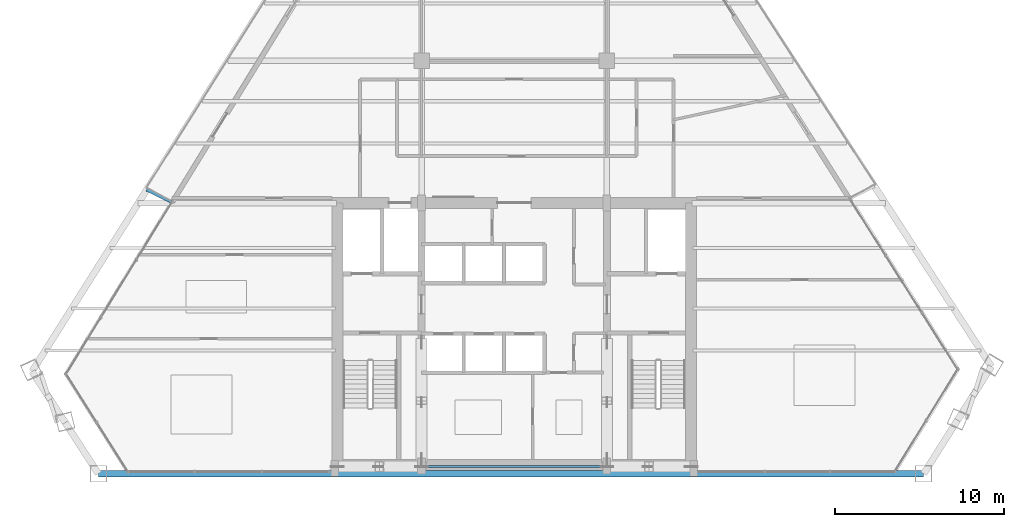
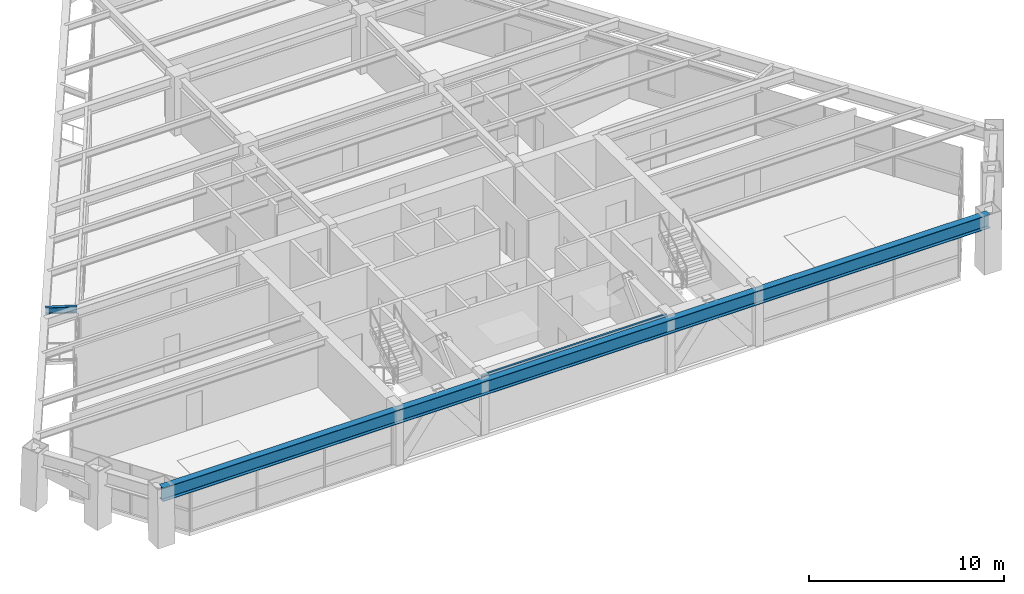
# One storey, part 3 of 15: 3 beams.
"""IFC4 building model written with IfcOpenShell, lengths in metres."""

from ifc_helpers import new_model, si_unit, direction, frame, origin, origin_2d, place, context, subcontext, project, spatial, i_section, extrude, source, transform, mapped, material, material_profile, profile_set, type_object, type_shapes, element, save


model = new_model("IFC4")

# Units and contexts
model_context = context("Model", 3, precision=1e-05, world=origin(), true_north=direction((0.0, 1.0)))
body_context = subcontext(model_context, "Body", "Model", "MODEL_VIEW")
ifc_project = project(units=[si_unit("LENGTHUNIT", "METRE"), si_unit("AREAUNIT", "SQUARE_METRE"), si_unit("VOLUMEUNIT", "CUBIC_METRE"), si_unit("PLANEANGLEUNIT", "RADIAN"), si_unit("MASSUNIT", "GRAM", prefix="KILO")], contexts=[model_context])

# Site, building, storey
site_placement = place(None, origin())
site = spatial("IfcSite", under=ifc_project, at=site_placement, CompositionType="ELEMENT")
building_placement = place(site_placement, origin())
building = spatial("IfcBuilding", under=site, at=building_placement, Name="Varnakhor Terracotta Tower", CompositionType="ELEMENT")
storey_placement = place(building_placement, frame((0.0, 0.0, 193.199951171875)))
storey = spatial("IfcBuildingStorey", under=building, at=storey_placement, Name="L49", CompositionType="ELEMENT", Elevation=193.199951171875)

# Beams
ifc_material = material(Name="Steel S355", Category="steel")
ifc_material_profile_1 = material_profile(ifc_material, i_section(OverallWidth=0.1201171875, OverallDepth=0.239990234375, WebThickness=0.006103515625, FlangeThickness=0.009765625, FilletRadius=0.01806640625, at=origin_2d()), Name="IPE240")
ifc_profile_set_1 = profile_set([ifc_material_profile_1], Name="Steel S355")
beam_type_1 = type_object("IfcBeamType", Name="LNT-IPE240", PredefinedType="LINTEL", material=ifc_profile_set_1)
shared_shape_1 = source(origin(), body_context, "Body", "SweptSolid", [
    extrude(i_section(OverallWidth=0.1201171875, OverallDepth=0.239990234375, WebThickness=0.006103515625, FlangeThickness=0.009765625, FilletRadius=0.01806640625, at=origin_2d()), origin(), (0.0, 0.0, 1.0), 11.0),
])
type_shapes(beam_type_1, [shared_shape_1])
beam_1_placement = place(storey_placement, frame((-5.5, 0.419921875, 3.35009765625), z_axis=(1.0, 0.0, 0.0), x_axis=(0.0, 1.0, 0.0)))
element("IfcBeam", 1, at=beam_1_placement, inside=storey, type_object=beam_type_1, Name="L49 Core South Coupling Lintel", PredefinedType="LINTEL", context=body_context, shape_type="MappedRepresentation", body=[
    mapped(shared_shape_1, transform((0.0, 0.0, 0.0), scale=1.0)),
])
ifc_material_profile_2 = material_profile(ifc_material, i_section(OverallWidth=0.39990234375, OverallDepth=0.85498046875, WebThickness=0.01806640625, FlangeThickness=0.029052734375, FilletRadius=0.01806640625, at=origin_2d()), Name="W33X201")
ifc_profile_set_2 = profile_set([ifc_material_profile_2], Name="Steel S355")
beam_type_2 = type_object("IfcBeamType", Name="BM-W33X201", PredefinedType="BEAM", material=ifc_profile_set_2)
shared_shape_2 = source(origin(), body_context, "Body", "SweptSolid", [
    extrude(i_section(OverallWidth=0.39990234375, OverallDepth=0.85498046875, WebThickness=0.01806640625, FlangeThickness=0.029052734375, FilletRadius=0.01806640625, at=origin_2d()), origin(), (0.0, 0.0, 1.0), 48.966064453125),
])
beam_2_placement = place(storey_placement, frame((-24.672119140625, 0.0, 3.04248046875), z_axis=(1.0, 0.0, 0.0), x_axis=(0.0, 1.0, 0.0)))
element("IfcBeam", 2, at=beam_2_placement, inside=storey, type_object=beam_type_2, Name="L49 Perimeter Spandrel 1", PredefinedType="BEAM", context=body_context, shape_type="MappedRepresentation", body=[
    mapped(shared_shape_2, transform((0.0, 0.0, 0.0), scale=1.0)),
])
ifc_material_profile_3 = material_profile(ifc_material, i_section(OverallWidth=0.179931640625, OverallDepth=0.39990234375, WebThickness=0.008544921875, FlangeThickness=0.013427734375, FilletRadius=0.01806640625, at=origin_2d()), Name="IPE400")
ifc_profile_set_3 = profile_set([ifc_material_profile_3], Name="Steel S355")
beam_type_3 = type_object("IfcBeamType", Name="JST-IPE400", PredefinedType="JOIST", material=ifc_profile_set_3)
shared_shape_3 = source(origin(), body_context, "Body", "SweptSolid", [
    extrude(i_section(OverallWidth=0.179931640625, OverallDepth=0.39990234375, WebThickness=0.008544921875, FlangeThickness=0.013427734375, FilletRadius=0.01806640625, at=origin_2d()), origin(), (0.0, 0.0, 1.0), 1.633544921875),
])
beam_3_placement = place(storey_placement, frame((-20.33642578125, 16.132568359375, 3.27001953125), z_axis=(-0.899246211206, 0.437442855276, 0.0), x_axis=(-0.437442855276, -0.899246211206, 0.0)))
element("IfcBeam", 3, at=beam_3_placement, inside=storey, type_object=beam_type_3, Name="L50 W Loggia Tie Beam 1", PredefinedType="JOIST", context=body_context, shape_type="MappedRepresentation", body=[
    mapped(shared_shape_3, transform((0.0, 0.0, 0.0), scale=1.0)),
])

save(model, "model.ifc")
